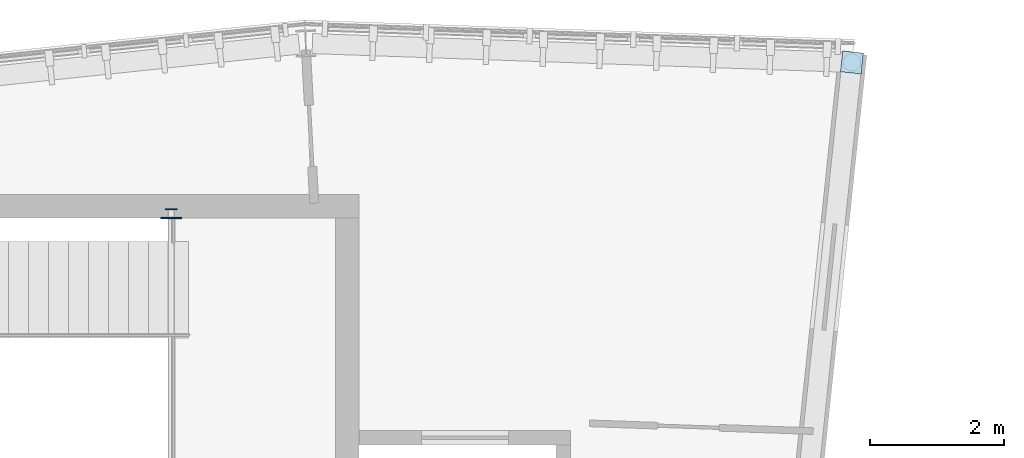
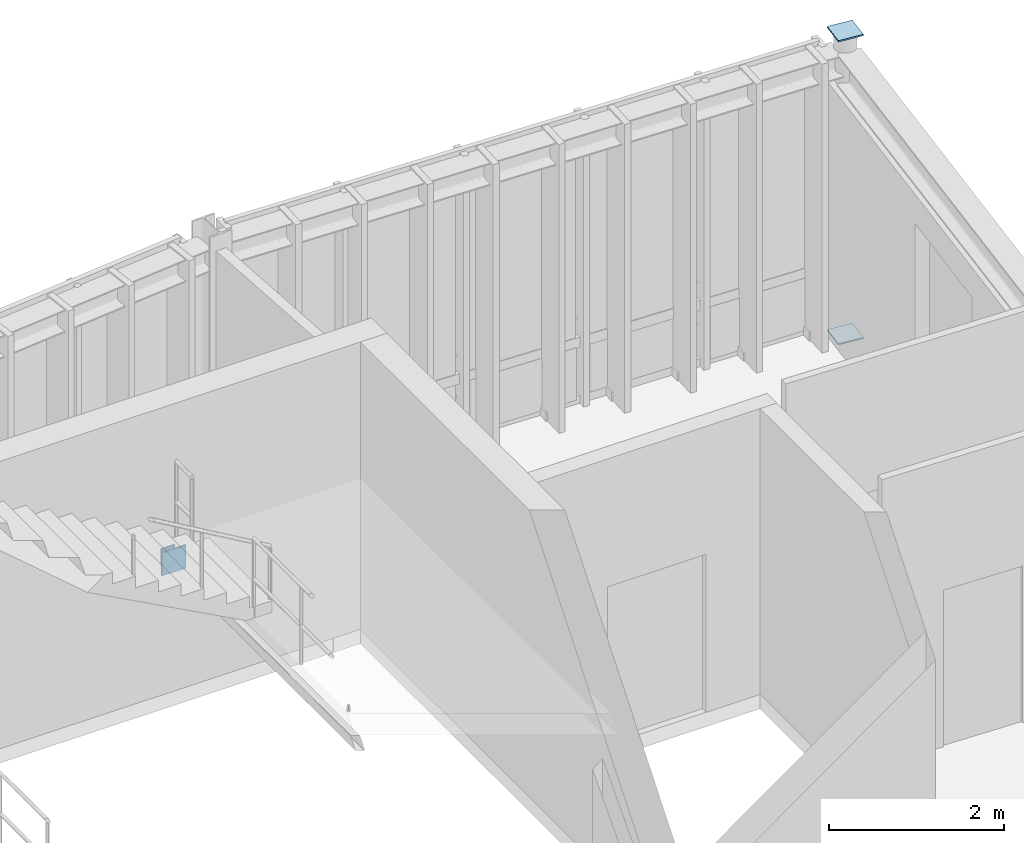
# One storey, part 37 of 52: 4 plates.
"""IFC4 building model written with IfcOpenShell, lengths in metres."""

from ifc_helpers import new_model, si_unit, direction, frame, origin, origin_2d, place, context, subcontext, project, spatial, rectangle, extrude, material, layer, layer_set, type_object, element, save


model = new_model("IFC4")

# Units and contexts
model_context = context("Model", 3, precision=1e-05, world=origin(), true_north=direction((0.0, 1.0)))
body_context = subcontext(model_context, "Body", "Model", "MODEL_VIEW")
ifc_project = project(units=[si_unit("LENGTHUNIT", "METRE"), si_unit("AREAUNIT", "SQUARE_METRE"), si_unit("VOLUMEUNIT", "CUBIC_METRE"), si_unit("PLANEANGLEUNIT", "RADIAN"), si_unit("MASSUNIT", "GRAM", prefix="KILO"), si_unit("THERMODYNAMICTEMPERATUREUNIT", "KELVIN"), si_unit("POWERUNIT", "WATT")], contexts=[model_context])

# Site, building, storey
site_placement = place(None, origin())
site = spatial("IfcSite", under=ifc_project, at=site_placement, CompositionType="ELEMENT")
building_placement = place(site_placement, origin())
building = spatial("IfcBuilding", under=site, at=building_placement, Name="Solvatero Civic Police Headquarters", CompositionType="ELEMENT")
storey_placement = place(building_placement, frame((0.0, 0.0, 13.5)))
storey = spatial("IfcBuildingStorey", under=building, at=storey_placement, Name="L03", CompositionType="ELEMENT", Elevation=13.5)

# Plates
ifc_material = material(Name="Steel S355", Category="steel")
ifc_layer_1 = layer(ifc_material, 0.02001953125)
ifc_layer_set_1 = layer_set([ifc_layer_1], Name="Steel S355")
plate_type_1 = type_object("IfcPlateType", Name="PLT-CAP-20", PredefinedType="SHEET", material=ifc_layer_set_1)
for number, where, z_axis, x_axis, name in (
    (1, (100.130615234375, 84.32861328125, 4.199951171875), (0.0, 0.0, 1.0), (0.994521895368, -0.104528463268, 0.0), "Hollow Section End Cap Plate 0001"),
    (2, (100.130615234375, 84.32861328125, -0.02001953125), (0.0, 0.0, 1.0), (0.994521895368, -0.104528463268, 0.0), "Hollow Section End Cap Plate 0002"),
):
    element("IfcPlate", number, at=place(storey_placement, frame(where, z_axis=z_axis, x_axis=x_axis)), inside=storey, type_object=plate_type_1, Name=name, PredefinedType="SHEET", context=body_context, shape_type="SweptSolid", body=[
        extrude(rectangle(XDim=0.31298828125, YDim=0.31298828125, at=origin_2d()), origin(), (0.0, 0.0, 1.0), 0.02001953125),
    ])
plate_1_placement = place(storey_placement, frame((89.93994140625, 82.1298828125, 1.71484375), z_axis=(0.0, 0.0, 1.0), x_axis=(1.0, 0.0, 0.0)))
element("IfcPlate", 3, at=plate_1_placement, inside=storey, type_object=plate_type_1, Name="Hollow Section Cap Plate 0048", PredefinedType="SHEET", context=body_context, shape_type="SweptSolid", body=[
    extrude(rectangle(XDim=0.179931640625, YDim=0.02001953125, at=origin_2d()), origin(), (0.0, 0.0, 1.0), 0.219970703125),
])
ifc_layer_2 = layer(ifc_material, 0.02490234375)
ifc_layer_set_2 = layer_set([ifc_layer_2], Name="Steel S355")
plate_type_2 = type_object("IfcPlateType", Name="PLT-EMB-25", PredefinedType="SHEET", material=ifc_layer_set_2)
plate_2_placement = place(storey_placement, frame((89.93994140625, 82.0, 1.6650390625), z_axis=(0.0, 0.0, 1.0), x_axis=(1.0, 0.0, 0.0)))
element("IfcPlate", 4, at=plate_2_placement, inside=storey, type_object=plate_type_2, Name="Cast-In Shear Wall Embed Plate 0048", PredefinedType="SHEET", context=body_context, shape_type="SweptSolid", body=[
    extrude(rectangle(XDim=0.320068359375, YDim=0.02490234375, at=origin_2d()), origin(), (0.0, 0.0, 1.0), 0.320068359375),
])

save(model, "model.ifc")
